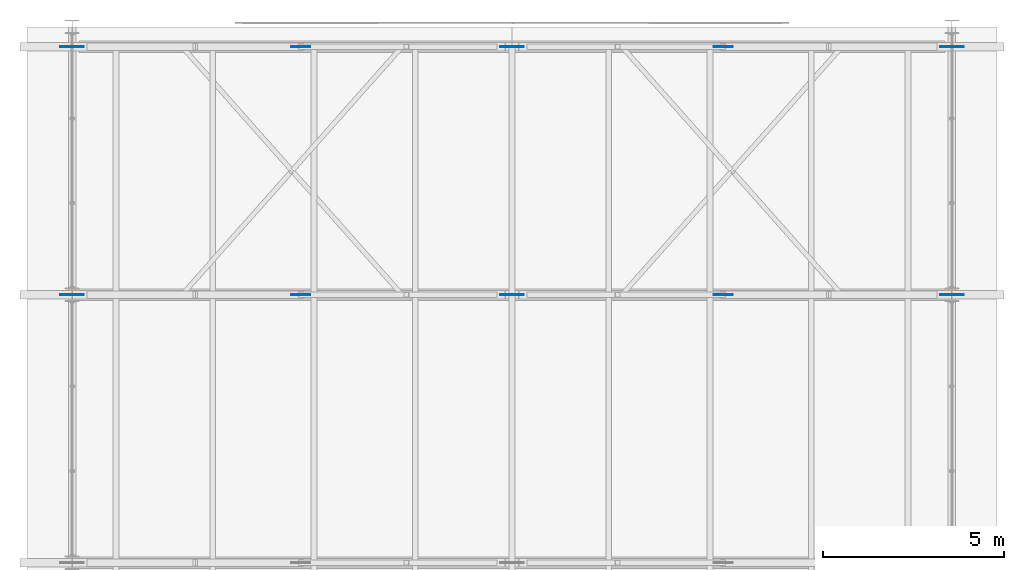
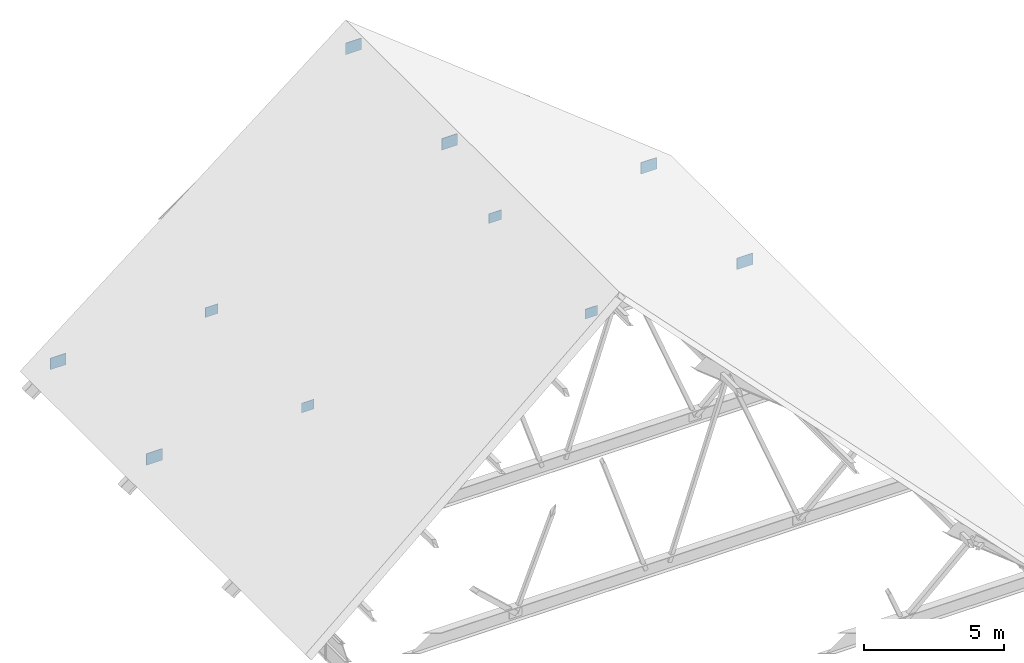
# One storey, part 43 of 44: 10 plates.
"""IFC4 building model written with IfcOpenShell, lengths in metres."""

from ifc_helpers import new_model, si_unit, direction, frame, origin, origin_2d, place, context, subcontext, project, spatial, rectangle, extrude, material, layer, layer_set, type_object, element, save


model = new_model("IFC4")

# Units and contexts
model_context = context("Model", 3, precision=1e-05, world=origin(), true_north=direction((0.0, 1.0)))
body_context = subcontext(model_context, "Body", "Model", "MODEL_VIEW")
ifc_project = project(units=[si_unit("LENGTHUNIT", "METRE"), si_unit("AREAUNIT", "SQUARE_METRE"), si_unit("VOLUMEUNIT", "CUBIC_METRE"), si_unit("PLANEANGLEUNIT", "RADIAN"), si_unit("MASSUNIT", "GRAM", prefix="KILO")], contexts=[model_context])

# Site, building, storey
site_placement = place(None, origin())
site = spatial("IfcSite", under=ifc_project, at=site_placement, CompositionType="ELEMENT")
building_placement = place(site_placement, origin())
building = spatial("IfcBuilding", under=site, at=building_placement, Name="Cimatlan Art Gallery", CompositionType="ELEMENT")
storey_placement = place(building_placement, frame((0.0, 0.0, 26.39990234375)))
storey = spatial("IfcBuildingStorey", under=building, at=storey_placement, Name="Roof", CompositionType="ELEMENT", Elevation=26.39990234375)

# Plates
ifc_material = material(Name="Steel ASTM A572 Grade 50", Category="steel")
ifc_layer_1 = layer(ifc_material, 0.02001953125)
ifc_layer_set_1 = layer_set([ifc_layer_1], Name="Steel ASTM A572 Grade 50")
plate_type_1 = type_object("IfcPlateType", Name="PLT-GUS-20", PredefinedType="USERDEFINED", material=ifc_layer_set_1)
for number, where, z_axis, x_axis, name in (
    (1, (81.218017578125, 75.699951171875, 1.190185546875), (0.0, 0.0, 1.0), (1.0, 0.0, 0.0), "GUS-08-2"),
    (2, (92.882080078125, 75.699951171875, 1.190185546875), (0.0, 0.0, 1.0), (1.0, 0.0, 0.0), "GUS-08-4"),
    (3, (81.218017578125, 82.550048828125, 1.190185546875), (0.0, 0.0, 1.0), (1.0, 0.0, 0.0), "GUS-09-2"),
    (4, (92.882080078125, 82.550048828125, 1.190185546875), (0.0, 0.0, 1.0), (1.0, 0.0, 0.0), "GUS-09-4"),
):
    element("IfcPlate", number, at=place(storey_placement, frame(where, z_axis=z_axis, x_axis=x_axis)), inside=storey, type_object=plate_type_1, Name=name, ObjectType="GUSSET_PLATE", PredefinedType="USERDEFINED", context=body_context, shape_type="SweptSolid", body=[
        extrude(rectangle(XDim=0.52001953125, YDim=0.02001953125, at=origin_2d()), origin(), (0.0, 0.0, 1.0), 0.419921875),
    ])
ifc_layer_2 = layer(ifc_material, 0.02490234375)
ifc_layer_set_2 = layer_set([ifc_layer_2], Name="Steel ASTM A572 Grade 50")
plate_type_2 = type_object("IfcPlateType", Name="PLT-GUS-25", PredefinedType="USERDEFINED", material=ifc_layer_set_2)
for number, where, z_axis, x_axis, name in (
    (5, (74.89990234375, 75.699951171875, 1.150146484375), (0.0, 0.0, 1.0), (1.0, 0.0, 0.0), "GUS-08-1"),
    (6, (87.050048828125, 75.699951171875, 10.60009765625), (0.0, 0.0, 1.0), (1.0, 0.0, 0.0), "GUS-08-3"),
    (7, (99.199951171875, 75.699951171875, 1.150146484375), (0.0, 0.0, 1.0), (1.0, 0.0, 0.0), "GUS-08-5"),
    (8, (74.89990234375, 82.550048828125, 1.150146484375), (0.0, 0.0, 1.0), (1.0, 0.0, 0.0), "GUS-09-1"),
    (9, (87.050048828125, 82.550048828125, 10.60009765625), (0.0, 0.0, 1.0), (1.0, 0.0, 0.0), "GUS-09-3"),
    (10, (99.199951171875, 82.550048828125, 1.150146484375), (0.0, 0.0, 1.0), (1.0, 0.0, 0.0), "GUS-09-5"),
):
    element("IfcPlate", number, at=place(storey_placement, frame(where, z_axis=z_axis, x_axis=x_axis)), inside=storey, type_object=plate_type_2, Name=name, ObjectType="GUSSET_PLATE", PredefinedType="USERDEFINED", context=body_context, shape_type="SweptSolid", body=[
        extrude(rectangle(XDim=0.64990234375, YDim=0.02490234375, at=origin_2d()), origin(), (0.0, 0.0, 1.0), 0.5),
    ])

save(model, "model.ifc")
